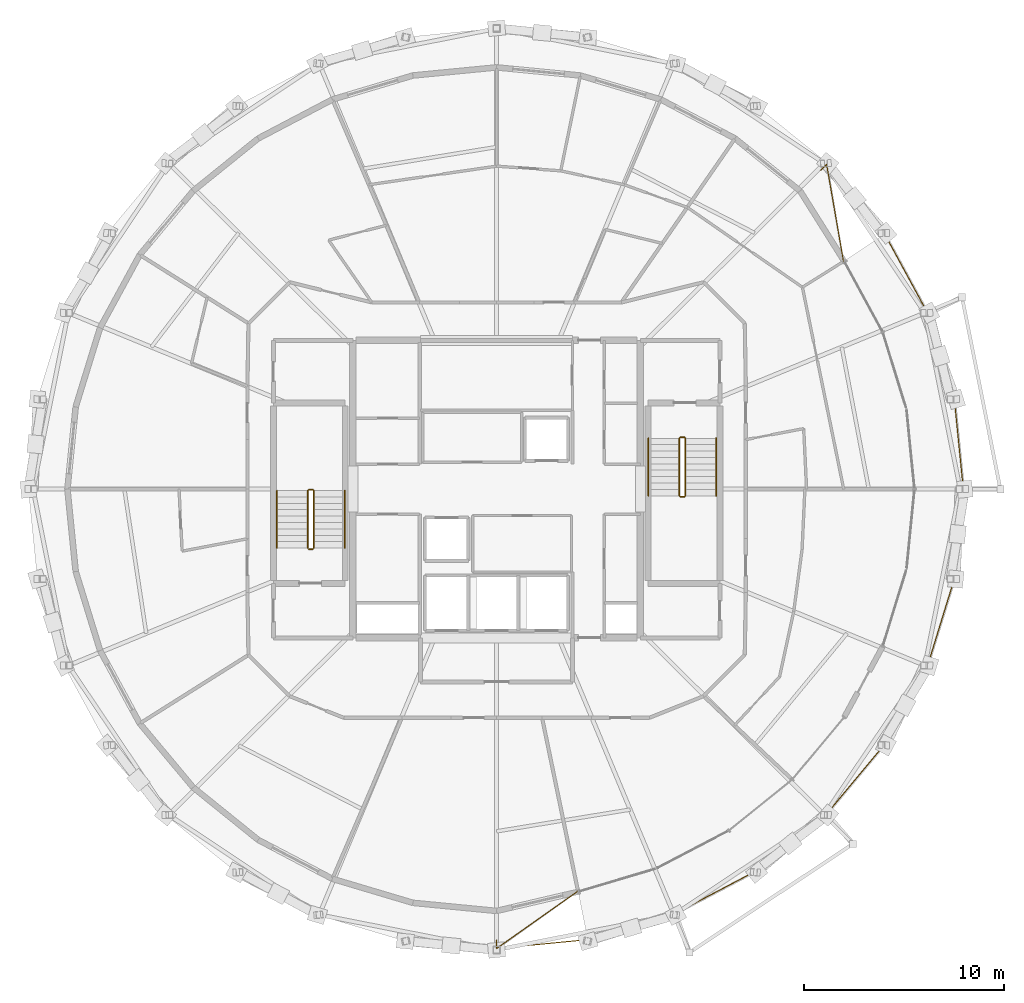
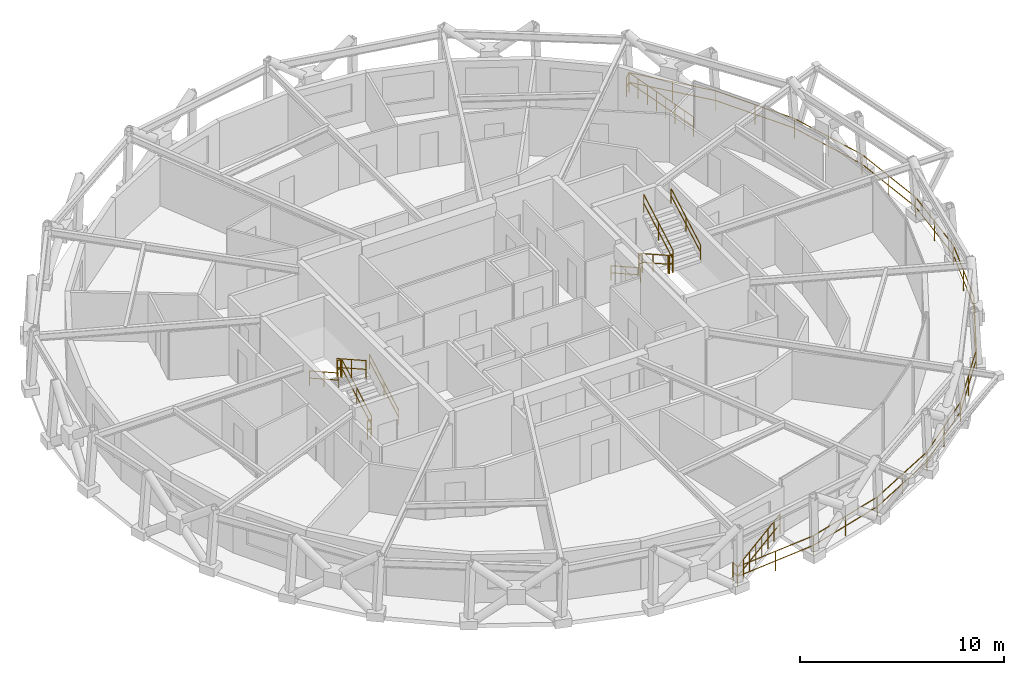
# One storey, part 18 of 18: 15 railings.
"""IFC4 building model written with IfcOpenShell, lengths in metres."""

from ifc_helpers import new_model, si_unit, direction, frame, origin, origin_2d, place, context, subcontext, project, spatial, circle, extrude, material, type_object, element, save


model = new_model("IFC4")

# Units and contexts
model_context = context("Model", 3, precision=1e-05, world=origin(), true_north=direction((0.0, 1.0)))
body_context = subcontext(model_context, "Body", "Model", "MODEL_VIEW")
ifc_project = project(units=[si_unit("LENGTHUNIT", "METRE"), si_unit("AREAUNIT", "SQUARE_METRE"), si_unit("VOLUMEUNIT", "CUBIC_METRE"), si_unit("PLANEANGLEUNIT", "RADIAN"), si_unit("MASSUNIT", "GRAM", prefix="KILO")], contexts=[model_context])

# Site, building, storey
site_placement = place(None, origin())
site = spatial("IfcSite", under=ifc_project, at=site_placement, CompositionType="ELEMENT")
building_placement = place(site_placement, origin())
building = spatial("IfcBuilding", under=site, at=building_placement, Name="Veldorina Hangang Commons", CompositionType="ELEMENT")
storey_placement = place(building_placement, frame((0.0, 0.0, 243.60009765625)))
storey = spatial("IfcBuildingStorey", under=building, at=storey_placement, Name="L63", CompositionType="ELEMENT", Elevation=243.60009765625)

# Railings
ifc_material_1 = material(Name="Glass Laminated Safety Balustrade", Category="glass")
railing_type_1 = type_object("IfcRailingType", Name="RL-BAL-LOGGIA", PredefinedType="BALUSTRADE", material=ifc_material_1)
railing_1_placement = place(storey_placement, frame((32.0, 1.418212890625, 0.0)))
element("IfcRailing", 1, at=railing_1_placement, inside=storey, type_object=railing_type_1, Name="L63 sky-garden loggia end balustrade A", PredefinedType="BALUSTRADE", context=body_context, shape_type="SweptSolid", body=[
    extrude(circle(Radius=0.02392578125, at=origin_2d()), frame((0.0, 0.0, 1.17578125), z_axis=(0.0, -1.0, 0.0), x_axis=(1.0, 0.0, 0.0)), (0.0, 0.0, 1.0), 0.419921875),
    extrude(circle(Radius=0.02392578125, at=origin_2d()), frame((0.0, 0.0, 0.60009765625), z_axis=(0.0, -1.0, 0.0), x_axis=(1.0, 0.0, 0.0)), (0.0, 0.0, 1.0), 0.419921875),
    extrude(circle(Radius=0.02392578125, at=origin_2d()), frame((0.0, -0.419921875, 1.17578125), z_axis=(0.817237739338, 0.576300683152, 0.0), x_axis=(-0.576300683152, 0.817237739338, 0.0)), (0.0, 0.0, 1.0), 4.987548828125),
    extrude(circle(Radius=0.02392578125, at=origin_2d()), frame((0.0, -0.419921875, 0.60009765625), z_axis=(0.817237739338, 0.576300683152, 0.0), x_axis=(-0.576300683152, 0.817237739338, 0.0)), (0.0, 0.0, 1.0), 4.987548828125),
    extrude(circle(Radius=0.02099609375, at=origin_2d()), origin(), (0.0, 0.0, 1.0), 1.15185546875),
    extrude(circle(Radius=0.02099609375, at=origin_2d()), frame((0.0, -0.419921875, 0.0)), (0.0, 0.0, 1.0), 1.15185546875),
    extrude(circle(Radius=0.02099609375, at=origin_2d()), frame((0.582275390625, -0.00927734375, 0.0)), (0.0, 0.0, 1.0), 1.15185546875),
    extrude(circle(Radius=0.02099609375, at=origin_2d()), frame((1.16455078125, 0.4013671875, 0.0)), (0.0, 0.0, 1.0), 1.15185546875),
    extrude(circle(Radius=0.02099609375, at=origin_2d()), frame((1.746826171875, 0.81201171875, 0.0)), (0.0, 0.0, 1.0), 1.15185546875),
    extrude(circle(Radius=0.02099609375, at=origin_2d()), frame((2.3291015625, 1.222412109375, 0.0)), (0.0, 0.0, 1.0), 1.15185546875),
    extrude(circle(Radius=0.02099609375, at=origin_2d()), frame((2.911376953125, 1.633056640625, 0.0)), (0.0, 0.0, 1.0), 1.15185546875),
    extrude(circle(Radius=0.02099609375, at=origin_2d()), frame((3.49365234375, 2.043701171875, 0.0)), (0.0, 0.0, 1.0), 1.15185546875),
    extrude(circle(Radius=0.02099609375, at=origin_2d()), frame((4.075927734375, 2.454345703125, 0.0)), (0.0, 0.0, 1.0), 1.15185546875),
])
railing_2_placement = place(storey_placement, frame((48.2275390625, 39.970703125, 0.0)))
element("IfcRailing", 2, at=railing_2_placement, inside=storey, type_object=railing_type_1, Name="L63 sky-garden loggia end balustrade B", PredefinedType="BALUSTRADE", context=body_context, shape_type="SweptSolid", body=[
    extrude(circle(Radius=0.02392578125, at=origin_2d()), frame((0.0, 0.0, 1.17578125), z_axis=(0.712897698193, 0.701268045694, 0.0), x_axis=(-0.701268045694, 0.712897698193, 0.0)), (0.0, 0.0, 1.0), 0.419921875),
    extrude(circle(Radius=0.02392578125, at=origin_2d()), frame((0.0, 0.0, 0.60009765625), z_axis=(0.712897698193, 0.701268045694, 0.0), x_axis=(-0.701268045694, 0.712897698193, 0.0)), (0.0, 0.0, 1.0), 0.419921875),
    extrude(circle(Radius=0.02392578125, at=origin_2d()), frame((0.29931640625, 0.29443359375, 1.17578125), z_axis=(0.171172109546, -0.98524114252, 0.0), x_axis=(0.98524114252, 0.171172109546, 0.0)), (0.0, 0.0, 1.0), 4.936279296875),
    extrude(circle(Radius=0.02392578125, at=origin_2d()), frame((0.29931640625, 0.29443359375, 0.60009765625), z_axis=(0.171172109546, -0.98524114252, 0.0), x_axis=(0.98524114252, 0.171172109546, 0.0)), (0.0, 0.0, 1.0), 4.936279296875),
    extrude(circle(Radius=0.02099609375, at=origin_2d()), origin(), (0.0, 0.0, 1.0), 1.15185546875),
    extrude(circle(Radius=0.02099609375, at=origin_2d()), frame((0.29931640625, 0.29443359375, 0.0)), (0.0, 0.0, 1.0), 1.15185546875),
    extrude(circle(Radius=0.02099609375, at=origin_2d()), frame((0.419921875, -0.400390625, 0.0)), (0.0, 0.0, 1.0), 1.15185546875),
    extrude(circle(Radius=0.02099609375, at=origin_2d()), frame((0.540771484375, -1.09521484375, 0.0)), (0.0, 0.0, 1.0), 1.15185546875),
    extrude(circle(Radius=0.02099609375, at=origin_2d()), frame((0.661376953125, -1.7900390625, 0.0)), (0.0, 0.0, 1.0), 1.15185546875),
    extrude(circle(Radius=0.02099609375, at=origin_2d()), frame((0.7822265625, -2.484619140625, 0.0)), (0.0, 0.0, 1.0), 1.15185546875),
    extrude(circle(Radius=0.02099609375, at=origin_2d()), frame((0.90283203125, -3.179443359375, 0.0)), (0.0, 0.0, 1.0), 1.15185546875),
    extrude(circle(Radius=0.02099609375, at=origin_2d()), frame((1.023681640625, -3.874267578125, 0.0)), (0.0, 0.0, 1.0), 1.15185546875),
    extrude(circle(Radius=0.02099609375, at=origin_2d()), frame((1.144287109375, -4.569091796875, 0.0)), (0.0, 0.0, 1.0), 1.15185546875),
])
railing_3_placement = place(storey_placement, frame((32.0, 0.998291015625, 0.0)))
element("IfcRailing", 3, at=railing_3_placement, inside=storey, type_object=railing_type_1, Name="L63 sky-garden loggia outer balustrade", PredefinedType="BALUSTRADE", context=body_context, shape_type="SweptSolid", body=[
    extrude(circle(Radius=0.02392578125, at=origin_2d()), frame((0.0, 0.0, 1.17578125), z_axis=(0.995336983602, 0.096458742856, 0.0), x_axis=(-0.096458742856, 0.995336983602, 0.0)), (0.0, 0.0, 1.0), 4.5810546875),
    extrude(circle(Radius=0.02392578125, at=origin_2d()), frame((0.0, 0.0, 0.60009765625), z_axis=(0.995336983602, 0.096458742856, 0.0), x_axis=(-0.096458742856, 0.995336983602, 0.0)), (0.0, 0.0, 1.0), 4.5810546875),
    extrude(circle(Radius=0.02392578125, at=origin_2d()), frame((4.559814453125, 0.44189453125, 1.17578125), z_axis=(0.958227744291, 0.286006276278, 0.0), x_axis=(-0.286006276278, 0.958227744291, 0.0)), (0.0, 0.0, 1.0), 4.575439453125),
    extrude(circle(Radius=0.02392578125, at=origin_2d()), frame((4.559814453125, 0.44189453125, 0.60009765625), z_axis=(0.958227744291, 0.286006276278, 0.0), x_axis=(-0.286006276278, 0.958227744291, 0.0)), (0.0, 0.0, 1.0), 4.575439453125),
    extrude(circle(Radius=0.02392578125, at=origin_2d()), frame((8.944091796875, 1.75048828125, 1.17578125), z_axis=(0.885019108428, 0.465554698954, 0.0), x_axis=(-0.465554698954, 0.885019108428, 0.0)), (0.0, 0.0, 1.0), 4.56591796875),
    extrude(circle(Radius=0.02392578125, at=origin_2d()), frame((8.944091796875, 1.75048828125, 0.60009765625), z_axis=(0.885019108428, 0.465554698954, 0.0), x_axis=(-0.465554698954, 0.885019108428, 0.0)), (0.0, 0.0, 1.0), 4.56591796875),
    extrude(circle(Radius=0.02392578125, at=origin_2d()), frame((12.985107421875, 3.876220703125, 1.17578125), z_axis=(0.777972433875, 0.628298410097, 0.0), x_axis=(-0.628298410097, 0.777972433875, 0.0)), (0.0, 0.0, 1.0), 4.552490234375),
    extrude(circle(Radius=0.02392578125, at=origin_2d()), frame((12.985107421875, 3.876220703125, 0.60009765625), z_axis=(0.777972433875, 0.628298410097, 0.0), x_axis=(-0.628298410097, 0.777972433875, 0.0)), (0.0, 0.0, 1.0), 4.552490234375),
    extrude(circle(Radius=0.02392578125, at=origin_2d()), frame((16.52685546875, 6.736572265625, 1.17578125), z_axis=(0.640485931012, 0.767969903171, 0.0), x_axis=(-0.767969903171, 0.640485931012, 0.0)), (0.0, 0.0, 1.0), 4.538818359375),
    extrude(circle(Radius=0.02392578125, at=origin_2d()), frame((16.52685546875, 6.736572265625, 0.60009765625), z_axis=(0.640485931012, 0.767969903171, 0.0), x_axis=(-0.767969903171, 0.640485931012, 0.0)), (0.0, 0.0, 1.0), 4.538818359375),
    extrude(circle(Radius=0.02392578125, at=origin_2d()), frame((19.433837890625, 10.22216796875, 1.17578125), z_axis=(0.477275193025, 0.878753884841, 0.0), x_axis=(-0.878753884841, 0.477275193025, 0.0)), (0.0, 0.0, 1.0), 4.525390625),
    extrude(circle(Radius=0.02392578125, at=origin_2d()), frame((19.433837890625, 10.22216796875, 0.60009765625), z_axis=(0.477275193025, 0.878753884841, 0.0), x_axis=(-0.878753884841, 0.477275193025, 0.0)), (0.0, 0.0, 1.0), 4.525390625),
    extrude(circle(Radius=0.02392578125, at=origin_2d()), frame((21.59375, 14.198974609375, 1.17578125), z_axis=(0.294606301252, 0.955618714374, 0.0), x_axis=(-0.955618714374, 0.294606301252, 0.0)), (0.0, 0.0, 1.0), 4.515625),
    extrude(circle(Radius=0.02392578125, at=origin_2d()), frame((21.59375, 14.198974609375, 0.60009765625), z_axis=(0.294606301252, 0.955618714374, 0.0), x_axis=(-0.955618714374, 0.294606301252, 0.0)), (0.0, 0.0, 1.0), 4.515625),
    extrude(circle(Radius=0.02392578125, at=origin_2d()), frame((22.924072265625, 18.51416015625, 1.17578125), z_axis=(0.099605553709, 0.995027001478, 0.0), x_axis=(-0.995027001478, 0.099605553709, 0.0)), (0.0, 0.0, 1.0), 4.510009765625),
    extrude(circle(Radius=0.02392578125, at=origin_2d()), frame((22.924072265625, 18.51416015625, 0.60009765625), z_axis=(0.099605553709, 0.995027001478, 0.0), x_axis=(-0.995027001478, 0.099605553709, 0.0)), (0.0, 0.0, 1.0), 4.510009765625),
    extrude(circle(Radius=0.02392578125, at=origin_2d()), frame((23.373291015625, 23.001708984375, 1.17578125), z_axis=(-0.099605553709, 0.995027001478, 0.0), x_axis=(-0.995027001478, -0.099605553709, 0.0)), (0.0, 0.0, 1.0), 4.510009765625),
    extrude(circle(Radius=0.02392578125, at=origin_2d()), frame((23.373291015625, 23.001708984375, 0.60009765625), z_axis=(-0.099605553709, 0.995027001478, 0.0), x_axis=(-0.995027001478, -0.099605553709, 0.0)), (0.0, 0.0, 1.0), 4.510009765625),
    extrude(circle(Radius=0.02392578125, at=origin_2d()), frame((22.924072265625, 27.4892578125, 1.17578125), z_axis=(-0.294606301252, 0.955618714374, 0.0), x_axis=(-0.955618714374, -0.294606301252, 0.0)), (0.0, 0.0, 1.0), 4.515625),
    extrude(circle(Radius=0.02392578125, at=origin_2d()), frame((22.924072265625, 27.4892578125, 0.60009765625), z_axis=(-0.294606301252, 0.955618714374, 0.0), x_axis=(-0.955618714374, -0.294606301252, 0.0)), (0.0, 0.0, 1.0), 4.515625),
    extrude(circle(Radius=0.02392578125, at=origin_2d()), frame((21.59375, 31.804443359375, 1.17578125), z_axis=(-0.477275193025, 0.878753884841, 0.0), x_axis=(-0.878753884841, -0.477275193025, 0.0)), (0.0, 0.0, 1.0), 4.525390625),
    extrude(circle(Radius=0.02392578125, at=origin_2d()), frame((21.59375, 31.804443359375, 0.60009765625), z_axis=(-0.477275193025, 0.878753884841, 0.0), x_axis=(-0.878753884841, -0.477275193025, 0.0)), (0.0, 0.0, 1.0), 4.525390625),
    extrude(circle(Radius=0.02392578125, at=origin_2d()), frame((19.433837890625, 35.78125, 1.17578125), z_axis=(-0.640485931012, 0.767969903171, 0.0), x_axis=(-0.767969903171, -0.640485931012, 0.0)), (0.0, 0.0, 1.0), 4.538818359375),
    extrude(circle(Radius=0.02392578125, at=origin_2d()), frame((19.433837890625, 35.78125, 0.60009765625), z_axis=(-0.640485931012, 0.767969903171, 0.0), x_axis=(-0.767969903171, -0.640485931012, 0.0)), (0.0, 0.0, 1.0), 4.538818359375),
    extrude(circle(Radius=0.02099609375, at=origin_2d()), origin(), (0.0, 0.0, 1.0), 1.15185546875),
    extrude(circle(Radius=0.02099609375, at=origin_2d()), frame((2.27978515625, 0.220947265625, 0.0)), (0.0, 0.0, 1.0), 1.15185546875),
    extrude(circle(Radius=0.02099609375, at=origin_2d()), frame((4.559814453125, 0.44189453125, 0.0)), (0.0, 0.0, 1.0), 1.15185546875),
    extrude(circle(Radius=0.02099609375, at=origin_2d()), frame((6.751953125, 1.09619140625, 0.0)), (0.0, 0.0, 1.0), 1.15185546875),
    extrude(circle(Radius=0.02099609375, at=origin_2d()), frame((8.944091796875, 1.75048828125, 0.0)), (0.0, 0.0, 1.0), 1.15185546875),
    extrude(circle(Radius=0.02099609375, at=origin_2d()), frame((10.964599609375, 2.8134765625, 0.0)), (0.0, 0.0, 1.0), 1.15185546875),
    extrude(circle(Radius=0.02099609375, at=origin_2d()), frame((12.985107421875, 3.876220703125, 0.0)), (0.0, 0.0, 1.0), 1.15185546875),
    extrude(circle(Radius=0.02099609375, at=origin_2d()), frame((14.755859375, 5.306396484375, 0.0)), (0.0, 0.0, 1.0), 1.15185546875),
    extrude(circle(Radius=0.02099609375, at=origin_2d()), frame((16.52685546875, 6.736572265625, 0.0)), (0.0, 0.0, 1.0), 1.15185546875),
    extrude(circle(Radius=0.02099609375, at=origin_2d()), frame((17.98046875, 8.4794921875, 0.0)), (0.0, 0.0, 1.0), 1.15185546875),
    extrude(circle(Radius=0.02099609375, at=origin_2d()), frame((19.433837890625, 10.22216796875, 0.0)), (0.0, 0.0, 1.0), 1.15185546875),
    extrude(circle(Radius=0.02099609375, at=origin_2d()), frame((20.513671875, 12.21044921875, 0.0)), (0.0, 0.0, 1.0), 1.15185546875),
    extrude(circle(Radius=0.02099609375, at=origin_2d()), frame((21.59375, 14.198974609375, 0.0)), (0.0, 0.0, 1.0), 1.15185546875),
    extrude(circle(Radius=0.02099609375, at=origin_2d()), frame((22.2587890625, 16.3564453125, 0.0)), (0.0, 0.0, 1.0), 1.15185546875),
    extrude(circle(Radius=0.02099609375, at=origin_2d()), frame((22.924072265625, 18.51416015625, 0.0)), (0.0, 0.0, 1.0), 1.15185546875),
    extrude(circle(Radius=0.02099609375, at=origin_2d()), frame((23.148681640625, 20.7578125, 0.0)), (0.0, 0.0, 1.0), 1.15185546875),
    extrude(circle(Radius=0.02099609375, at=origin_2d()), frame((23.373291015625, 23.001708984375, 0.0)), (0.0, 0.0, 1.0), 1.15185546875),
    extrude(circle(Radius=0.02099609375, at=origin_2d()), frame((23.148681640625, 25.24560546875, 0.0)), (0.0, 0.0, 1.0), 1.15185546875),
    extrude(circle(Radius=0.02099609375, at=origin_2d()), frame((22.924072265625, 27.4892578125, 0.0)), (0.0, 0.0, 1.0), 1.15185546875),
    extrude(circle(Radius=0.02099609375, at=origin_2d()), frame((22.2587890625, 29.64697265625, 0.0)), (0.0, 0.0, 1.0), 1.15185546875),
    extrude(circle(Radius=0.02099609375, at=origin_2d()), frame((21.59375, 31.804443359375, 0.0)), (0.0, 0.0, 1.0), 1.15185546875),
    extrude(circle(Radius=0.02099609375, at=origin_2d()), frame((20.513671875, 33.79296875, 0.0)), (0.0, 0.0, 1.0), 1.15185546875),
    extrude(circle(Radius=0.02099609375, at=origin_2d()), frame((19.433837890625, 35.78125, 0.0)), (0.0, 0.0, 1.0), 1.15185546875),
    extrude(circle(Radius=0.02099609375, at=origin_2d()), frame((17.98046875, 37.52392578125, 0.0)), (0.0, 0.0, 1.0), 1.15185546875),
    extrude(circle(Radius=0.02099609375, at=origin_2d()), frame((16.52685546875, 39.266845703125, 0.0)), (0.0, 0.0, 1.0), 1.15185546875),
])
ifc_material_2 = material(Name="Steel Painted Balustrade", Category="steel")
railing_type_2 = type_object("IfcRailingType", Name="RL-GRD-STAIR", PredefinedType="GUARDRAIL", material=ifc_material_2)
railing_4_placement = place(storey_placement, frame((22.85009765625, 21.050048828125, 0.179931640625)))
element("IfcRailing", 4, at=railing_4_placement, inside=storey, type_object=railing_type_2, Name="L63 ST-1 stair guard 1", PredefinedType="GUARDRAIL", context=body_context, shape_type="SweptSolid", body=[
    extrude(circle(Radius=0.02392578125, at=origin_2d()), frame((0.0, 0.0, 1.076171875), z_axis=(0.0, 0.871583430097, 0.490247207417), x_axis=(-1.0, 0.0, 0.0)), (0.0, 0.0, 1.0), 3.30419921875),
    extrude(circle(Radius=0.02392578125, at=origin_2d()), frame((0.0, 0.0, 0.550048828125), z_axis=(0.0, 0.871583430097, 0.490247207417), x_axis=(-1.0, 0.0, 0.0)), (0.0, 0.0, 1.0), 3.30419921875),
    extrude(circle(Radius=0.02099609375, at=origin_2d()), origin(), (0.0, 0.0, 1.0), 1.052001953125),
    extrude(circle(Radius=0.02099609375, at=origin_2d()), frame((0.0, 1.43994140625, 0.81005859375)), (0.0, 0.0, 1.0), 1.052001953125),
    extrude(circle(Radius=0.02099609375, at=origin_2d()), frame((0.0, 2.8798828125, 1.619873046875)), (0.0, 0.0, 1.0), 1.052001953125),
])
railing_5_placement = place(storey_placement, frame((22.800048828125, 23.97998046875, 1.7998046875)))
element("IfcRailing", 5, at=railing_5_placement, inside=storey, type_object=railing_type_2, Name="L63 ST-1 stair guard 2", PredefinedType="GUARDRAIL", context=body_context, shape_type="SweptSolid", body=[
    extrude(circle(Radius=0.02392578125, at=origin_2d()), frame((0.0, 0.0, 1.076171875), z_axis=(-1.0, 0.0, 0.0), x_axis=(0.0, -1.0, 0.0)), (0.0, 0.0, 1.0), 0.199951171875),
    extrude(circle(Radius=0.02392578125, at=origin_2d()), frame((0.0, 0.0, 0.550048828125), z_axis=(-1.0, 0.0, 0.0), x_axis=(0.0, -1.0, 0.0)), (0.0, 0.0, 1.0), 0.199951171875),
    extrude(circle(Radius=0.02099609375, at=origin_2d()), origin(), (0.0, 0.0, 1.0), 1.052001953125),
    extrude(circle(Radius=0.02099609375, at=origin_2d()), frame((-0.199951171875, 0.0, 0.0)), (0.0, 0.0, 1.0), 1.052001953125),
])
railing_6_placement = place(storey_placement, frame((22.550048828125, 23.929931640625, 1.97998046875)))
element("IfcRailing", 6, at=railing_6_placement, inside=storey, type_object=railing_type_2, Name="L63 ST-1 stair guard 3", PredefinedType="GUARDRAIL", context=body_context, shape_type="SweptSolid", body=[
    extrude(circle(Radius=0.02392578125, at=origin_2d()), frame((0.0, 0.0, 1.076171875), z_axis=(0.0, -0.871583430097, 0.490247207417), x_axis=(1.0, 0.0, 0.0)), (0.0, 0.0, 1.0), 3.30419921875),
    extrude(circle(Radius=0.02392578125, at=origin_2d()), frame((0.0, 0.0, 0.550048828125), z_axis=(0.0, -0.871583430097, 0.490247207417), x_axis=(1.0, 0.0, 0.0)), (0.0, 0.0, 1.0), 3.30419921875),
    extrude(circle(Radius=0.02099609375, at=origin_2d()), origin(), (0.0, 0.0, 1.0), 1.052001953125),
    extrude(circle(Radius=0.02099609375, at=origin_2d()), frame((0.0, -1.43994140625, 0.81005859375)), (0.0, 0.0, 1.0), 1.052001953125),
    extrude(circle(Radius=0.02099609375, at=origin_2d()), frame((0.0, -2.8798828125, 1.619873046875)), (0.0, 0.0, 1.0), 1.052001953125),
])
railing_7_placement = place(storey_placement, frame((22.800048828125, 21.0, 0.0)))
element("IfcRailing", 7, at=railing_7_placement, inside=storey, type_object=railing_type_2, Name="L63 ST-1 stair guard 4", PredefinedType="GUARDRAIL", context=body_context, shape_type="SweptSolid", body=[
    extrude(circle(Radius=0.02392578125, at=origin_2d()), frame((0.0, 0.0, 1.076171875), z_axis=(-1.0, 0.0, 0.0), x_axis=(0.0, -1.0, 0.0)), (0.0, 0.0, 1.0), 0.199951171875),
    extrude(circle(Radius=0.02392578125, at=origin_2d()), frame((0.0, 0.0, 0.550048828125), z_axis=(-1.0, 0.0, 0.0), x_axis=(0.0, -1.0, 0.0)), (0.0, 0.0, 1.0), 0.199951171875),
    extrude(circle(Radius=0.02099609375, at=origin_2d()), origin(), (0.0, 0.0, 1.0), 1.052001953125),
    extrude(circle(Radius=0.02099609375, at=origin_2d()), frame((-0.199951171875, 0.0, 0.0)), (0.0, 0.0, 1.0), 1.052001953125),
])
railing_8_placement = place(storey_placement, frame((41.14990234375, 26.550048828125, 0.179931640625)))
element("IfcRailing", 8, at=railing_8_placement, inside=storey, type_object=railing_type_2, Name="L63 ST-2 stair guard 1", PredefinedType="GUARDRAIL", context=body_context, shape_type="SweptSolid", body=[
    extrude(circle(Radius=0.02392578125, at=origin_2d()), frame((0.0, 0.0, 1.076171875), z_axis=(0.0, -0.871601186807, 0.490215637405), x_axis=(1.0, 0.0, 0.0)), (0.0, 0.0, 1.0), 3.304443359375),
    extrude(circle(Radius=0.02392578125, at=origin_2d()), frame((0.0, 0.0, 0.550048828125), z_axis=(0.0, -0.871601186807, 0.490215637405), x_axis=(1.0, 0.0, 0.0)), (0.0, 0.0, 1.0), 3.304443359375),
    extrude(circle(Radius=0.02099609375, at=origin_2d()), origin(), (0.0, 0.0, 1.0), 1.052001953125),
    extrude(circle(Radius=0.02099609375, at=origin_2d()), frame((0.0, -1.43994140625, 0.81005859375)), (0.0, 0.0, 1.0), 1.052001953125),
    extrude(circle(Radius=0.02099609375, at=origin_2d()), frame((0.0, -2.880126953125, 1.619873046875)), (0.0, 0.0, 1.0), 1.052001953125),
])
railing_9_placement = place(storey_placement, frame((41.199951171875, 23.6201171875, 1.7998046875)))
element("IfcRailing", 9, at=railing_9_placement, inside=storey, type_object=railing_type_2, Name="L63 ST-2 stair guard 2", PredefinedType="GUARDRAIL", context=body_context, shape_type="SweptSolid", body=[
    extrude(circle(Radius=0.02392578125, at=origin_2d()), frame((0.0, 0.0, 1.076171875), z_axis=(1.0, 0.0, 0.0), x_axis=(0.0, 1.0, 0.0)), (0.0, 0.0, 1.0), 0.199951171875),
    extrude(circle(Radius=0.02392578125, at=origin_2d()), frame((0.0, 0.0, 0.550048828125), z_axis=(1.0, 0.0, 0.0), x_axis=(0.0, 1.0, 0.0)), (0.0, 0.0, 1.0), 0.199951171875),
    extrude(circle(Radius=0.02099609375, at=origin_2d()), origin(), (0.0, 0.0, 1.0), 1.052001953125),
    extrude(circle(Radius=0.02099609375, at=origin_2d()), frame((0.199951171875, 0.0, 0.0)), (0.0, 0.0, 1.0), 1.052001953125),
])
railing_10_placement = place(storey_placement, frame((41.449951171875, 23.669921875, 1.97998046875)))
element("IfcRailing", 10, at=railing_10_placement, inside=storey, type_object=railing_type_2, Name="L63 ST-2 stair guard 3", PredefinedType="GUARDRAIL", context=body_context, shape_type="SweptSolid", body=[
    extrude(circle(Radius=0.02392578125, at=origin_2d()), frame((0.0, 0.0, 1.076171875), z_axis=(0.0, 0.871601186807, 0.490215637405), x_axis=(-1.0, 0.0, 0.0)), (0.0, 0.0, 1.0), 3.304443359375),
    extrude(circle(Radius=0.02392578125, at=origin_2d()), frame((0.0, 0.0, 0.550048828125), z_axis=(0.0, 0.871601186807, 0.490215637405), x_axis=(-1.0, 0.0, 0.0)), (0.0, 0.0, 1.0), 3.304443359375),
    extrude(circle(Radius=0.02099609375, at=origin_2d()), origin(), (0.0, 0.0, 1.0), 1.052001953125),
    extrude(circle(Radius=0.02099609375, at=origin_2d()), frame((0.0, 1.43994140625, 0.81005859375)), (0.0, 0.0, 1.0), 1.052001953125),
    extrude(circle(Radius=0.02099609375, at=origin_2d()), frame((0.0, 2.880126953125, 1.619873046875)), (0.0, 0.0, 1.0), 1.052001953125),
])
railing_11_placement = place(storey_placement, frame((41.199951171875, 26.60009765625, 0.0)))
element("IfcRailing", 11, at=railing_11_placement, inside=storey, type_object=railing_type_2, Name="L63 ST-2 stair guard 4", PredefinedType="GUARDRAIL", context=body_context, shape_type="SweptSolid", body=[
    extrude(circle(Radius=0.02392578125, at=origin_2d()), frame((0.0, 0.0, 1.076171875), z_axis=(1.0, 0.0, 0.0), x_axis=(0.0, 1.0, 0.0)), (0.0, 0.0, 1.0), 0.199951171875),
    extrude(circle(Radius=0.02392578125, at=origin_2d()), frame((0.0, 0.0, 0.550048828125), z_axis=(1.0, 0.0, 0.0), x_axis=(0.0, 1.0, 0.0)), (0.0, 0.0, 1.0), 0.199951171875),
    extrude(circle(Radius=0.02099609375, at=origin_2d()), origin(), (0.0, 0.0, 1.0), 1.052001953125),
    extrude(circle(Radius=0.02099609375, at=origin_2d()), frame((0.199951171875, 0.0, 0.0)), (0.0, 0.0, 1.0), 1.052001953125),
])
ifc_material_3 = material(Name="Stainless Steel Brushed 316", Category="steel")
railing_type_3 = type_object("IfcRailingType", Name="RL-HND-STAIR", PredefinedType="HANDRAIL", material=ifc_material_3)
railing_12_placement = place(storey_placement, frame((24.39990234375, 21.050048828125, 0.179931640625)))
element("IfcRailing", 12, at=railing_12_placement, inside=storey, type_object=railing_type_3, Name="L63 ST-1 stair handrail 1", PredefinedType="HANDRAIL", context=body_context, shape_type="SweptSolid", body=[
    extrude(circle(Radius=0.02392578125, at=origin_2d()), frame((0.0, 0.0, 0.8759765625), z_axis=(0.0, 0.871583430097, 0.490247207417), x_axis=(-1.0, 0.0, 0.0)), (0.0, 0.0, 1.0), 3.30419921875),
    extrude(circle(Radius=0.02392578125, at=origin_2d()), frame((0.0, 0.0, 0.449951171875), z_axis=(0.0, 0.871583430097, 0.490247207417), x_axis=(-1.0, 0.0, 0.0)), (0.0, 0.0, 1.0), 3.30419921875),
    extrude(circle(Radius=0.02099609375, at=origin_2d()), origin(), (0.0, 0.0, 1.0), 0.851806640625),
    extrude(circle(Radius=0.02099609375, at=origin_2d()), frame((0.0, 1.43994140625, 0.81005859375)), (0.0, 0.0, 1.0), 0.851806640625),
    extrude(circle(Radius=0.02099609375, at=origin_2d()), frame((0.0, 2.8798828125, 1.619873046875)), (0.0, 0.0, 1.0), 0.851806640625),
])
railing_13_placement = place(storey_placement, frame((21.0, 23.929931640625, 1.97998046875)))
element("IfcRailing", 13, at=railing_13_placement, inside=storey, type_object=railing_type_3, Name="L63 ST-1 stair handrail 2", PredefinedType="HANDRAIL", context=body_context, shape_type="SweptSolid", body=[
    extrude(circle(Radius=0.02392578125, at=origin_2d()), frame((0.0, 0.0, 0.8759765625), z_axis=(0.0, -0.871583430097, 0.490247207417), x_axis=(1.0, 0.0, 0.0)), (0.0, 0.0, 1.0), 3.30419921875),
    extrude(circle(Radius=0.02392578125, at=origin_2d()), frame((0.0, 0.0, 0.449951171875), z_axis=(0.0, -0.871583430097, 0.490247207417), x_axis=(1.0, 0.0, 0.0)), (0.0, 0.0, 1.0), 3.30419921875),
    extrude(circle(Radius=0.02099609375, at=origin_2d()), origin(), (0.0, 0.0, 1.0), 0.851806640625),
    extrude(circle(Radius=0.02099609375, at=origin_2d()), frame((0.0, -1.43994140625, 0.81005859375)), (0.0, 0.0, 1.0), 0.851806640625),
    extrude(circle(Radius=0.02099609375, at=origin_2d()), frame((0.0, -2.8798828125, 1.619873046875)), (0.0, 0.0, 1.0), 0.851806640625),
])
railing_14_placement = place(storey_placement, frame((39.60009765625, 26.550048828125, 0.179931640625)))
element("IfcRailing", 14, at=railing_14_placement, inside=storey, type_object=railing_type_3, Name="L63 ST-2 stair handrail 1", PredefinedType="HANDRAIL", context=body_context, shape_type="SweptSolid", body=[
    extrude(circle(Radius=0.02392578125, at=origin_2d()), frame((0.0, 0.0, 0.8759765625), z_axis=(0.0, -0.871601186807, 0.490215637405), x_axis=(1.0, 0.0, 0.0)), (0.0, 0.0, 1.0), 3.304443359375),
    extrude(circle(Radius=0.02392578125, at=origin_2d()), frame((0.0, 0.0, 0.449951171875), z_axis=(0.0, -0.871601186807, 0.490215637405), x_axis=(1.0, 0.0, 0.0)), (0.0, 0.0, 1.0), 3.304443359375),
    extrude(circle(Radius=0.02099609375, at=origin_2d()), origin(), (0.0, 0.0, 1.0), 0.851806640625),
    extrude(circle(Radius=0.02099609375, at=origin_2d()), frame((0.0, -1.43994140625, 0.81005859375)), (0.0, 0.0, 1.0), 0.851806640625),
    extrude(circle(Radius=0.02099609375, at=origin_2d()), frame((0.0, -2.880126953125, 1.619873046875)), (0.0, 0.0, 1.0), 0.851806640625),
])
railing_15_placement = place(storey_placement, frame((43.0, 23.669921875, 1.97998046875)))
element("IfcRailing", 15, at=railing_15_placement, inside=storey, type_object=railing_type_3, Name="L63 ST-2 stair handrail 2", PredefinedType="HANDRAIL", context=body_context, shape_type="SweptSolid", body=[
    extrude(circle(Radius=0.02392578125, at=origin_2d()), frame((0.0, 0.0, 0.8759765625), z_axis=(0.0, 0.871601186807, 0.490215637405), x_axis=(-1.0, 0.0, 0.0)), (0.0, 0.0, 1.0), 3.304443359375),
    extrude(circle(Radius=0.02392578125, at=origin_2d()), frame((0.0, 0.0, 0.449951171875), z_axis=(0.0, 0.871601186807, 0.490215637405), x_axis=(-1.0, 0.0, 0.0)), (0.0, 0.0, 1.0), 3.304443359375),
    extrude(circle(Radius=0.02099609375, at=origin_2d()), origin(), (0.0, 0.0, 1.0), 0.851806640625),
    extrude(circle(Radius=0.02099609375, at=origin_2d()), frame((0.0, 1.43994140625, 0.81005859375)), (0.0, 0.0, 1.0), 0.851806640625),
    extrude(circle(Radius=0.02099609375, at=origin_2d()), frame((0.0, 2.880126953125, 1.619873046875)), (0.0, 0.0, 1.0), 0.851806640625),
])

save(model, "model.ifc")
